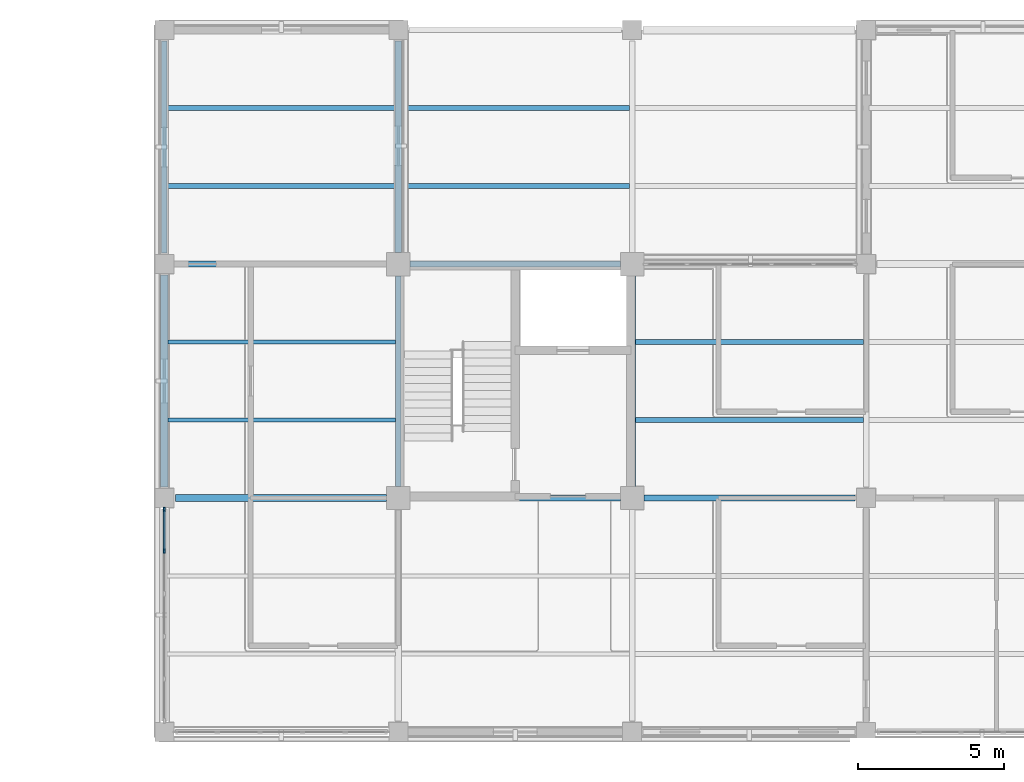
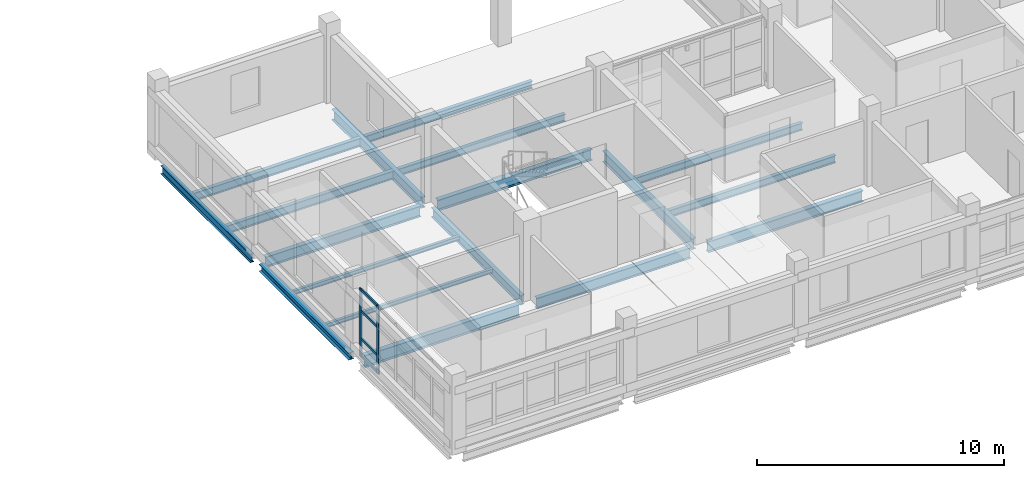
# One storey, part 61 of 126: 18 beams, 6 members, 1 element without a shape of its own.
"""IFC4 building model written with IfcOpenShell, lengths in metres."""

from ifc_helpers import new_model, si_unit, derived_unit, direction, frame, origin, origin_2d, place, context, subcontext, project, spatial, rectangle, i_section, extrude, material, layer, layer_set, material_profile, profile_set, type_object, element, aggregate, save


model = new_model("IFC4")

# Units and contexts
model_context = context("Model", 3, precision=1e-05, world=origin(), true_north=direction((0.0, 1.0)))
body_context = subcontext(model_context, "Body", "Model", "MODEL_VIEW")
ifc_project = project(units=[si_unit("LENGTHUNIT", "METRE"), si_unit("AREAUNIT", "SQUARE_METRE"), si_unit("VOLUMEUNIT", "CUBIC_METRE"), si_unit("PLANEANGLEUNIT", "RADIAN"), si_unit("MASSUNIT", "GRAM", prefix="KILO"), derived_unit("THERMALTRANSMITTANCEUNIT", [(si_unit("MASSUNIT", "GRAM", prefix="KILO"), 1), (si_unit("TIMEUNIT", "SECOND"), -3), (si_unit("THERMODYNAMICTEMPERATUREUNIT", "KELVIN"), -1)])], contexts=[model_context])

# Site, building, storey
site_placement = place(None, origin())
site = spatial("IfcSite", under=ifc_project, at=site_placement, CompositionType="ELEMENT")
building_placement = place(site_placement, origin())
building = spatial("IfcBuilding", under=site, at=building_placement, Name="Veyamyaing Civic Hall", CompositionType="ELEMENT")
storey_placement = place(building_placement, frame((0.0, 0.0, 9.89990234375)))
storey = spatial("IfcBuildingStorey", under=building, at=storey_placement, Name="L02", CompositionType="ELEMENT", Elevation=9.89990234375)

# Beams
ifc_material_1 = material(Name="Steel ASTM A992", Category="steel")
ifc_material_profile_1 = material_profile(ifc_material_1, i_section(OverallWidth=0.22802734375, OverallDepth=0.60791015625, WebThickness=0.01123046875, FlangeThickness=0.017333984375, FilletRadius=0.012939453125, at=origin_2d()), Name="W610X113")
ifc_profile_set_1 = profile_set([ifc_material_profile_1], Name="Steel ASTM A992")
beam_type_1 = type_object("IfcBeamType", Name="B-06", PredefinedType="BEAM", material=ifc_profile_set_1)
beam_1_placement = place(storey_placement, frame((128.375, 96.0, -0.5888671875), z_axis=(1.0, 0.0, 0.0), x_axis=(0.0, 1.0, 0.0)))
element("IfcBeam", 1, at=beam_1_placement, inside=storey, type_object=beam_type_1, Name="Girder B-06 L02 Grid N 17-18", PredefinedType="BEAM", context=body_context, shape_type="SweptSolid", body=[
    extrude(i_section(OverallWidth=0.22802734375, OverallDepth=0.60791015625, WebThickness=0.01123046875, FlangeThickness=0.017333984375, FilletRadius=0.012939453125, at=origin_2d()), origin(), (0.0, 0.0, 1.0), 7.22509765625),
])
ifc_material_profile_2 = material_profile(ifc_material_1, i_section(OverallWidth=0.208984375, OverallDepth=0.532958984375, WebThickness=0.01025390625, FlangeThickness=0.015625, FilletRadius=0.011962890625, at=origin_2d()), Name="W530X92")
ifc_profile_set_2 = profile_set([ifc_material_profile_2], Name="Steel ASTM A992")
beam_type_2 = type_object("IfcBeamType", Name="B-07", PredefinedType="BEAM", material=ifc_profile_set_2)
beam_2_placement = place(storey_placement, frame((136.39990234375, 96.0, -0.551513671875), z_axis=(1.0, 0.0, 0.0), x_axis=(0.0, 1.0, 0.0)))
element("IfcBeam", 2, at=beam_2_placement, inside=storey, type_object=beam_type_2, Name="Girder B-07 L02 Grid N 18-19", PredefinedType="BEAM", context=body_context, shape_type="SweptSolid", body=[
    extrude(i_section(OverallWidth=0.208984375, OverallDepth=0.532958984375, WebThickness=0.01025390625, FlangeThickness=0.015625, FilletRadius=0.011962890625, at=origin_2d()), origin(), (0.0, 0.0, 1.0), 7.2001953125),
])
beam_3_placement = place(storey_placement, frame((128.375, 104.0, -0.551513671875), z_axis=(1.0, 0.0, 0.0), x_axis=(0.0, 1.0, 0.0)))
element("IfcBeam", 3, at=beam_3_placement, inside=storey, type_object=beam_type_2, Name="Girder B-07 L02 Grid P 17-18", PredefinedType="BEAM", context=body_context, shape_type="SweptSolid", body=[
    extrude(i_section(OverallWidth=0.208984375, OverallDepth=0.532958984375, WebThickness=0.01025390625, FlangeThickness=0.015625, FilletRadius=0.011962890625, at=origin_2d()), origin(), (0.0, 0.0, 1.0), 7.22509765625),
])
ifc_material_profile_3 = material_profile(ifc_material_1, i_section(OverallWidth=0.19189453125, OverallDepth=0.462890625, WebThickness=0.010498046875, FlangeThickness=0.017578125, FilletRadius=0.010009765625, at=origin_2d()), Name="W460X89")
ifc_profile_set_3 = profile_set([ifc_material_profile_3], Name="Steel ASTM A992")
beam_type_3 = type_object("IfcBeamType", Name="B-08", PredefinedType="BEAM", material=ifc_profile_set_3)
beam_4_placement = place(storey_placement, frame((136.0, 96.39990234375, -0.516357421875), z_axis=(0.0, 1.0, 0.0), x_axis=(-1.0, 0.0, 0.0)))
element("IfcBeam", 4, at=beam_4_placement, inside=storey, type_object=beam_type_3, Name="Girder B-08 L02 Grid 18 N-P", PredefinedType="BEAM", context=body_context, shape_type="SweptSolid", body=[
    extrude(i_section(OverallWidth=0.19189453125, OverallDepth=0.462890625, WebThickness=0.010498046875, FlangeThickness=0.017578125, FilletRadius=0.010009765625, at=origin_2d()), origin(), (0.0, 0.0, 1.0), 7.2001953125),
])
ifc_material_profile_4 = material_profile(ifc_material_1, i_section(OverallWidth=0.179931640625, OverallDepth=0.4130859375, WebThickness=0.009765625, FlangeThickness=0.01611328125, FilletRadius=0.010009765625, at=origin_2d()), Name="W410X74")
ifc_profile_set_4 = profile_set([ifc_material_profile_4], Name="Steel ASTM A992")
beam_type_4 = type_object("IfcBeamType", Name="B-10", PredefinedType="SPANDREL", material=ifc_profile_set_4)
beam_5_placement = place(storey_placement, frame((128.0, 104.375, -0.491455078125), z_axis=(0.0, 1.0, 0.0), x_axis=(-1.0, 0.0, 0.0)))
element("IfcBeam", 5, at=beam_5_placement, inside=storey, type_object=beam_type_4, Name="Girder B-10 L02 Grid 17 P-Q", PredefinedType="SPANDREL", context=body_context, shape_type="SweptSolid", body=[
    extrude(i_section(OverallWidth=0.179931640625, OverallDepth=0.4130859375, WebThickness=0.009765625, FlangeThickness=0.01611328125, FilletRadius=0.010009765625, at=origin_2d()), origin(), (0.0, 0.0, 1.0), 7.25),
])
ifc_material_profile_5 = material_profile(ifc_material_1, i_section(OverallWidth=0.214111328125, OverallDepth=0.549072265625, WebThickness=0.0146484375, FlangeThickness=0.023681640625, FilletRadius=0.011962890625, at=origin_2d()), Name="W530X138")
ifc_profile_set_5 = profile_set([ifc_material_profile_5], Name="Steel ASTM A992")
beam_type_5 = type_object("IfcBeamType", Name="B-16", PredefinedType="BEAM", material=ifc_profile_set_5)
beam_6_placement = place(storey_placement, frame((144.39990234375, 96.0, -0.559326171875), z_axis=(1.0, 0.0, 0.0), x_axis=(0.0, 1.0, 0.0)))
element("IfcBeam", 6, at=beam_6_placement, inside=storey, type_object=beam_type_5, Name="Girder B-16 L02 Grid N 19-20", PredefinedType="BEAM", context=body_context, shape_type="SweptSolid", body=[
    extrude(i_section(OverallWidth=0.214111328125, OverallDepth=0.549072265625, WebThickness=0.0146484375, FlangeThickness=0.023681640625, FilletRadius=0.011962890625, at=origin_2d()), origin(), (0.0, 0.0, 1.0), 7.22509765625),
])
beam_7_placement = place(storey_placement, frame((136.39990234375, 104.0, -0.559326171875), z_axis=(1.0, 0.0, 0.0), x_axis=(0.0, 1.0, 0.0)))
element("IfcBeam", 7, at=beam_7_placement, inside=storey, type_object=beam_type_5, Name="Girder B-16 L02 Grid P 18-19", PredefinedType="BEAM", context=body_context, shape_type="SweptSolid", body=[
    extrude(i_section(OverallWidth=0.214111328125, OverallDepth=0.549072265625, WebThickness=0.0146484375, FlangeThickness=0.023681640625, FilletRadius=0.011962890625, at=origin_2d()), origin(), (0.0, 0.0, 1.0), 7.2001953125),
])
ifc_material_profile_6 = material_profile(ifc_material_1, i_section(OverallWidth=0.2109375, OverallDepth=0.5390625, WebThickness=0.01171875, FlangeThickness=0.018798828125, FilletRadius=0.011962890625, at=origin_2d()), Name="W530X109")
ifc_profile_set_6 = profile_set([ifc_material_profile_6], Name="Steel ASTM A992")
beam_type_6 = type_object("IfcBeamType", Name="B-17", PredefinedType="BEAM", material=ifc_profile_set_6)
beam_8_placement = place(storey_placement, frame((136.0, 104.39990234375, -0.554443359375), z_axis=(0.0, 1.0, 0.0), x_axis=(-1.0, 0.0, 0.0)))
element("IfcBeam", 8, at=beam_8_placement, inside=storey, type_object=beam_type_6, Name="Girder B-17 L02 Grid 18 P-Q", PredefinedType="BEAM", context=body_context, shape_type="SweptSolid", body=[
    extrude(i_section(OverallWidth=0.2109375, OverallDepth=0.5390625, WebThickness=0.01171875, FlangeThickness=0.018798828125, FilletRadius=0.011962890625, at=origin_2d()), origin(), (0.0, 0.0, 1.0), 7.22509765625),
])
beam_9_placement = place(storey_placement, frame((144.0, 96.39990234375, -0.554443359375), z_axis=(0.0, 1.0, 0.0), x_axis=(-1.0, 0.0, 0.0)))
element("IfcBeam", 9, at=beam_9_placement, inside=storey, type_object=beam_type_6, Name="Girder B-17 L02 Grid 19 N-P", PredefinedType="BEAM", context=body_context, shape_type="SweptSolid", body=[
    extrude(i_section(OverallWidth=0.2109375, OverallDepth=0.5390625, WebThickness=0.01171875, FlangeThickness=0.018798828125, FilletRadius=0.011962890625, at=origin_2d()), origin(), (0.0, 0.0, 1.0), 7.2001953125),
])
ifc_material_profile_7 = material_profile(ifc_material_1, i_section(OverallWidth=0.25390625, OverallDepth=0.35302734375, WebThickness=0.009521484375, FlangeThickness=0.016357421875, FilletRadius=0.011962890625, at=origin_2d()), Name="W360X91")
ifc_profile_set_7 = profile_set([ifc_material_profile_7], Name="Steel ASTM A992")
beam_type_7 = type_object("IfcBeamType", Name="B-20", PredefinedType="SPANDREL", material=ifc_profile_set_7)
beam_10_placement = place(storey_placement, frame((128.0, 96.375, -0.46142578125), z_axis=(0.0, 1.0, 0.0), x_axis=(-1.0, 0.0, 0.0)))
element("IfcBeam", 10, at=beam_10_placement, inside=storey, type_object=beam_type_7, Name="Girder B-20 L02 Grid 17 N-P", PredefinedType="SPANDREL", context=body_context, shape_type="SweptSolid", body=[
    extrude(i_section(OverallWidth=0.25390625, OverallDepth=0.35302734375, WebThickness=0.009521484375, FlangeThickness=0.016357421875, FilletRadius=0.011962890625, at=origin_2d()), origin(), (0.0, 0.0, 1.0), 7.25),
])

# Curtain wall, members
ifc_material_2 = material(Name="Anodised aluminium 6063-T6", Category="aluminium")
ifc_layer = layer(ifc_material_2, 0.159912109375, Name="Anodised aluminium 6063-T6")
ifc_layer_set = layer_set([ifc_layer], Name="Anodised aluminium 6063-T6")
curtain_wall_type = type_object("IfcCurtainWallType", Name="CW-03", PredefinedType="NOTDEFINED", material=ifc_layer_set)
curtain_wall_placement = place(storey_placement, origin())
curtain_wall = element("IfcCurtainWall", 11, at=curtain_wall_placement, inside=storey, type_object=curtain_wall_type, Name="Unitized curtain wall CW-03 L02 W 17.12", PredefinedType="NOTDEFINED")
ifc_material_profile_8 = material_profile(ifc_material_2, rectangle(XDim=0.06494140625, YDim=0.159912109375, at=origin_2d()), Name="ALU-MUL-65X160")
ifc_profile_set_8 = profile_set([ifc_material_profile_8], Name="Anodised aluminium 6063-T6")
member_type_1 = type_object("IfcMemberType", Name="CWM-01", PredefinedType="MULLION", material=ifc_profile_set_8)
member_1_placement = place(storey_placement, frame((128.0, 94.18701171875, 0.0), z_axis=(0.0, 0.0, 1.0), x_axis=(-1.0, 0.0, 0.0)))
member_1 = element("IfcMember", 12, at=member_1_placement, type_object=member_type_1, Name="CW-03 mullion 5", PredefinedType="MULLION", context=body_context, shape_type="SweptSolid", body=[
    extrude(rectangle(XDim=0.06494140625, YDim=0.159912109375, at=origin_2d()), origin(), (0.0, 0.0, 1.0), 3.343994140625),
])
member_2_placement = place(storey_placement, frame((128.0, 95.612548828125, 0.0), z_axis=(0.0, 0.0, 1.0), x_axis=(-1.0, 0.0, 0.0)))
member_2 = element("IfcMember", 13, at=member_2_placement, type_object=member_type_1, Name="CW-03 mullion 6", PredefinedType="MULLION", context=body_context, shape_type="SweptSolid", body=[
    extrude(rectangle(XDim=0.06494140625, YDim=0.159912109375, at=origin_2d()), origin(), (0.0, 0.0, 1.0), 3.343994140625),
])
ifc_material_profile_9 = material_profile(ifc_material_2, rectangle(XDim=0.06494140625, YDim=0.1201171875, at=origin_2d()), Name="ALU-TRN-65X120")
ifc_profile_set_9 = profile_set([ifc_material_profile_9], Name="Anodised aluminium 6063-T6")
member_type_2 = type_object("IfcMemberType", Name="CWT-01", PredefinedType="USERDEFINED", material=ifc_profile_set_9)
member_3_placement = place(storey_placement, frame((128.0, 94.219482421875, 0.03271484375), z_axis=(0.0, 1.0, 0.0), x_axis=(-1.0, 0.0, 0.0)))
member_3 = element("IfcMember", 14, at=member_3_placement, type_object=member_type_2, Name="CW-03 transom 5.1", ObjectType="TRANSOM", PredefinedType="USERDEFINED", context=body_context, shape_type="SweptSolid", body=[
    extrude(rectangle(XDim=0.06494140625, YDim=0.1201171875, at=origin_2d()), origin(), (0.0, 0.0, 1.0), 1.360595703125),
])
member_4_placement = place(storey_placement, frame((128.0, 94.219482421875, 0.900146484375), z_axis=(0.0, 1.0, 0.0), x_axis=(-1.0, 0.0, 0.0)))
member_4 = element("IfcMember", 15, at=member_4_placement, type_object=member_type_2, Name="CW-03 transom 5.2", ObjectType="TRANSOM", PredefinedType="USERDEFINED", context=body_context, shape_type="SweptSolid", body=[
    extrude(rectangle(XDim=0.06494140625, YDim=0.1201171875, at=origin_2d()), origin(), (0.0, 0.0, 1.0), 1.360595703125),
])
member_5_placement = place(storey_placement, frame((128.0, 94.219482421875, 2.27392578125), z_axis=(0.0, 1.0, 0.0), x_axis=(-1.0, 0.0, 0.0)))
member_5 = element("IfcMember", 16, at=member_5_placement, type_object=member_type_2, Name="CW-03 transom 5.3", ObjectType="TRANSOM", PredefinedType="USERDEFINED", context=body_context, shape_type="SweptSolid", body=[
    extrude(rectangle(XDim=0.06494140625, YDim=0.1201171875, at=origin_2d()), origin(), (0.0, 0.0, 1.0), 1.360595703125),
])
member_6_placement = place(storey_placement, frame((128.0, 94.219482421875, 3.3115234375), z_axis=(0.0, 1.0, 0.0), x_axis=(-1.0, 0.0, 0.0)))
member_6 = element("IfcMember", 17, at=member_6_placement, type_object=member_type_2, Name="CW-03 transom 5.4", ObjectType="TRANSOM", PredefinedType="USERDEFINED", context=body_context, shape_type="SweptSolid", body=[
    extrude(rectangle(XDim=0.06494140625, YDim=0.1201171875, at=origin_2d()), origin(), (0.0, 0.0, 1.0), 1.360595703125),
])
aggregate(curtain_wall, [member_1, member_2, member_3, member_4, member_5, member_6])

# Beams
ifc_material_profile_10 = material_profile(ifc_material_1, i_section(OverallWidth=0.177978515625, OverallDepth=0.406982421875, WebThickness=0.0078125, FlangeThickness=0.0126953125, FilletRadius=0.010009765625, at=origin_2d()), Name="W410X60")
ifc_profile_set_10 = profile_set([ifc_material_profile_10], Name="Steel ASTM A992")
beam_type_8 = type_object("IfcBeamType", Name="J-01", PredefinedType="JOIST", material=ifc_profile_set_10)
for number, where, z_axis, x_axis, name in (
    (18, (128.087890625, 106.666748046875, -0.48828125), (1.0, 0.0, 0.0), (0.0, 1.0, 0.0), "Composite floor joist J-01 L02 17.14.1"),
    (19, (128.087890625, 109.333251953125, -0.48828125), (1.0, 0.0, 0.0), (0.0, 1.0, 0.0), "Composite floor joist J-01 L02 17.14.2"),
):
    element("IfcBeam", number, at=place(storey_placement, frame(where, z_axis=z_axis, x_axis=x_axis)), inside=storey, type_object=beam_type_8, Name=name, PredefinedType="JOIST", context=body_context, shape_type="SweptSolid", body=[
        extrude(i_section(OverallWidth=0.177978515625, OverallDepth=0.406982421875, WebThickness=0.0078125, FlangeThickness=0.0126953125, FilletRadius=0.010009765625, at=origin_2d()), origin(), (0.0, 0.0, 1.0), 7.80859375),
    ])
ifc_material_profile_11 = material_profile(ifc_material_1, i_section(OverallWidth=0.172119140625, OverallDepth=0.35791015625, WebThickness=0.0078125, FlangeThickness=0.01318359375, FilletRadius=0.010009765625, at=origin_2d()), Name="W360X57")
ifc_profile_set_11 = profile_set([ifc_material_profile_11], Name="Steel ASTM A992")
beam_type_9 = type_object("IfcBeamType", Name="J-02", PredefinedType="JOIST", material=ifc_profile_set_11)
for number, where, z_axis, x_axis, name in (
    (20, (136.103515625, 106.666748046875, -0.4638671875), (1.0, 0.0, 0.0), (0.0, 1.0, 0.0), "Composite floor joist J-02 L02 18.14.1"),
    (21, (136.103515625, 109.333251953125, -0.4638671875), (1.0, 0.0, 0.0), (0.0, 1.0, 0.0), "Composite floor joist J-02 L02 18.14.2"),
    (22, (144.103515625, 98.666748046875, -0.4638671875), (1.0, 0.0, 0.0), (0.0, 1.0, 0.0), "Composite floor joist J-02 L02 19.13.1"),
    (23, (144.103515625, 101.333251953125, -0.4638671875), (1.0, 0.0, 0.0), (0.0, 1.0, 0.0), "Composite floor joist J-02 L02 19.13.2"),
):
    element("IfcBeam", number, at=place(storey_placement, frame(where, z_axis=z_axis, x_axis=x_axis)), inside=storey, type_object=beam_type_9, Name=name, PredefinedType="JOIST", context=body_context, shape_type="SweptSolid", body=[
        extrude(i_section(OverallWidth=0.172119140625, OverallDepth=0.35791015625, WebThickness=0.0078125, FlangeThickness=0.01318359375, FilletRadius=0.010009765625, at=origin_2d()), origin(), (0.0, 0.0, 1.0), 7.801513671875),
    ])
ifc_material_profile_12 = material_profile(ifc_material_1, i_section(OverallWidth=0.133056640625, OverallDepth=0.20703125, WebThickness=0.005859375, FlangeThickness=0.00830078125, FilletRadius=0.010009765625, at=origin_2d()), Name="W200X27")
ifc_profile_set_12 = profile_set([ifc_material_profile_12], Name="Steel ASTM A992")
beam_type_10 = type_object("IfcBeamType", Name="J-08", PredefinedType="JOIST", material=ifc_profile_set_12)
for number, where, z_axis, x_axis, name in (
    (24, (128.125, 98.666748046875, -0.388427734375), (1.0, 0.0, 0.0), (0.0, 1.0, 0.0), "Composite floor joist J-08 L02 17.13.1"),
    (25, (128.125, 101.333251953125, -0.388427734375), (1.0, 0.0, 0.0), (0.0, 1.0, 0.0), "Composite floor joist J-08 L02 17.13.2"),
):
    element("IfcBeam", number, at=place(storey_placement, frame(where, z_axis=z_axis, x_axis=x_axis)), inside=storey, type_object=beam_type_10, Name=name, PredefinedType="JOIST", context=body_context, shape_type="SweptSolid", body=[
        extrude(i_section(OverallWidth=0.133056640625, OverallDepth=0.20703125, WebThickness=0.005859375, FlangeThickness=0.00830078125, FilletRadius=0.010009765625, at=origin_2d()), origin(), (0.0, 0.0, 1.0), 7.781005859375),
    ])

save(model, "model.ifc")
